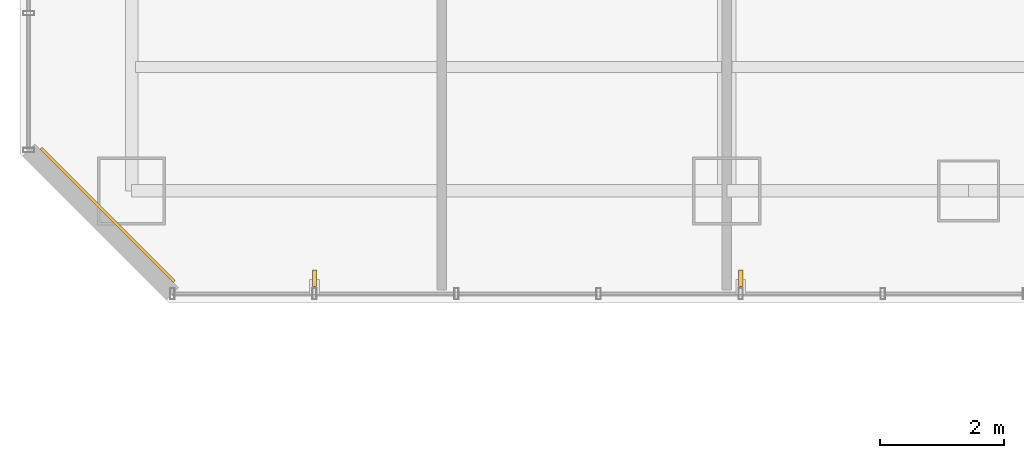
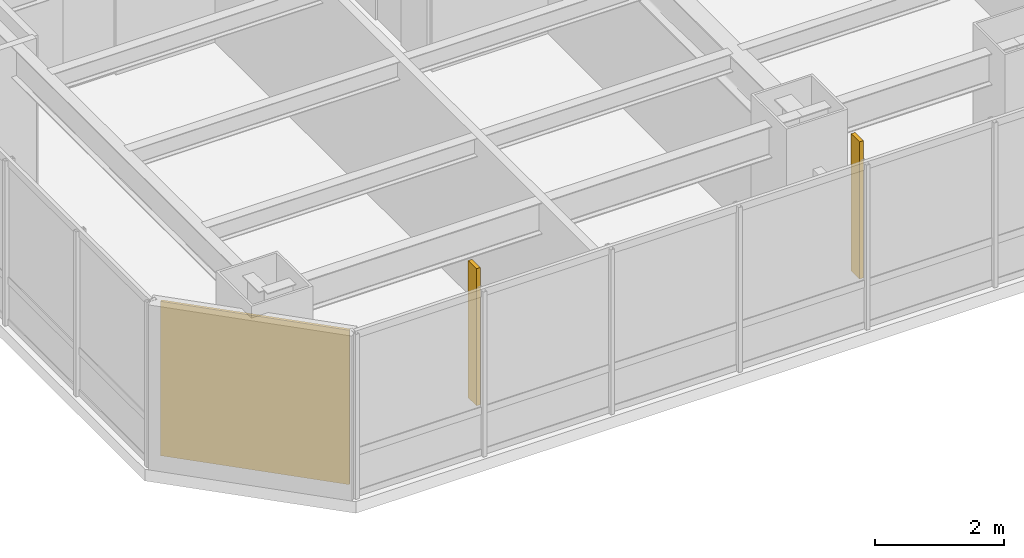
# One storey, part 28 of 32: 2 shading devices, 1 covering.
"""IFC4 building model written with IfcOpenShell, lengths in metres."""

import ifcopenshell
import ifcopenshell.guid

model = None  # the IFC model being written
_history = None  # IfcOwnerHistory: only IFC2X3 demands one
_inside = {}  # id of a spatial element -> (the spatial element, [elements in it])
_under = {}  # id of a project, library or spatial element -> (it, [spatial elements below it])
_declared = {}  # id of a project -> (the project, [libraries it declares])
_typed = {}  # id of a type object -> (the type object, [elements of that type])
_made_of = {}  # id of a material, layer set ... -> (it, [elements and type objects made of it])


def new_model(schema):
    """Start an empty IFC model of exactly this schema.

    Asked for "IFC4X3", IfcOpenShell would pick the latest addendum, in which some entities
    have other attributes; the version numbers below select the first issue.
    IFC2X3 requires an IfcOwnerHistory on every rooted entity: one is made here for all.
    """
    global model, _history
    if schema == "IFC4X3":
        model = ifcopenshell.file(schema_version=(4, 3, 0, 0))
    else:
        model = ifcopenshell.file(schema=schema)
    _inside.clear()
    _under.clear()
    _declared.clear()
    _typed.clear()
    _made_of.clear()
    _history = None
    if model.schema == "IFC2X3":
        org = make("IfcOrganization", Name="unknown")
        user = make(
            "IfcPersonAndOrganization",
            ThePerson=make("IfcPerson", FamilyName="unknown"),
            TheOrganization=org,
        )
        app = make(
            "IfcApplication",
            ApplicationDeveloper=org,
            Version="unknown",
            ApplicationFullName="unknown",
            ApplicationIdentifier="unknown",
        )
        _history = make(
            "IfcOwnerHistory",
            OwningUser=user,
            OwningApplication=app,
            ChangeAction="ADDED",
            CreationDate=0,
        )
    return model


def make(cls, **values):
    """One entity of the class cls with the attributes given. An attribute that is None is left unset."""
    return model.create_entity(
        cls, **{name: value for name, value in values.items() if value is not None}
    )


def rooted(cls, **values):
    """An entity with a GlobalId (a new one), such as an element, a storey or a relation."""
    return make(cls, GlobalId=ifcopenshell.guid.new(), OwnerHistory=_history, **values)


def si_unit(unit_type, name, prefix=None):
    """IfcSIUnit, for example si_unit("LENGTHUNIT", "METRE", prefix="MILLI")."""
    return make("IfcSIUnit", UnitType=unit_type, Prefix=prefix, Name=name)


def assignment(units):
    """IfcUnitAssignment: the units of a project."""
    return None if units is None else make("IfcUnitAssignment", Units=units)


def point(xyz):
    """IfcCartesianPoint."""
    return None if xyz is None else make("IfcCartesianPoint", Coordinates=xyz)


def direction(xyz):
    """IfcDirection."""
    return None if xyz is None else make("IfcDirection", DirectionRatios=xyz)


def frame(location, z_axis=None, x_axis=None):
    """IfcAxis2Placement3D, a coordinate frame: its origin and axes. An axis left out is left unset."""
    return make(
        "IfcAxis2Placement3D",
        Location=point(location),
        Axis=direction(z_axis),
        RefDirection=direction(x_axis),
    )


def frame_2d(location, x_axis=None):
    """IfcAxis2Placement2D, a coordinate frame in the plane: its origin and x axis."""
    return make(
        "IfcAxis2Placement2D", Location=point(location), RefDirection=direction(x_axis)
    )


def origin():
    """The frame at (0, 0, 0) with its axes left unset."""
    return frame((0.0, 0.0, 0.0))


def origin_2d():
    """The frame at (0, 0) in the plane with its x axis left unset."""
    return frame_2d((0.0, 0.0))


def place(relative_to, where):
    """IfcLocalPlacement: puts the frame where relative to a parent placement (None: the world)."""
    return make(
        "IfcLocalPlacement", PlacementRelTo=relative_to, RelativePlacement=where
    )


def context(
    kind, dimensions, precision=None, world=None, true_north=None, identifier=None
):
    """IfcGeometricRepresentationContext, for example the 3D "Model" context."""
    return make(
        "IfcGeometricRepresentationContext",
        ContextIdentifier=identifier,
        ContextType=kind,
        CoordinateSpaceDimension=dimensions,
        Precision=precision,
        WorldCoordinateSystem=world,
        TrueNorth=true_north,
    )


def subcontext(parent, identifier, kind, view, scale=None):
    """IfcGeometricRepresentationSubContext, for example "Body" below "Model"."""
    return make(
        "IfcGeometricRepresentationSubContext",
        ContextIdentifier=identifier,
        ContextType=kind,
        ParentContext=parent,
        TargetScale=scale,
        TargetView=view,
    )


def project(units=None, contexts=None):
    """IfcProject with its units and contexts."""
    return rooted(
        "IfcProject",
        Name="project",
        RepresentationContexts=contexts,
        UnitsInContext=assignment(units),
    )


def spatial(cls, under=None, at=None, **own):
    """A site, building, storey or space (cls), placed at a placement, below another one or the project."""
    s = rooted(cls, ObjectPlacement=at, **own)
    if under is not None:
        _under.setdefault(under.id(), (under, []))[1].append(s)
    return s


def profile(cls, at=None, kind="AREA", **sizes):
    """A parametric profile (cls). Its sizes go by their IFC names, for example OverallWidth=200.0."""
    return make(cls, ProfileType=kind, Position=at, **sizes)


def rectangle(**sizes):
    """IfcRectangleProfileDef."""
    return profile("IfcRectangleProfileDef", **sizes)


def extrude(swept, where, along, depth):
    """IfcExtrudedAreaSolid: the profile swept, set in the frame where, extruded along a direction by depth."""
    return make(
        "IfcExtrudedAreaSolid",
        SweptArea=swept,
        Position=where,
        ExtrudedDirection=direction(along),
        Depth=depth,
    )


def shape(context_of_items, identifier, shape_type, items):
    """IfcShapeRepresentation: the items that make up one representation, for example the "Body"."""
    return make(
        "IfcShapeRepresentation",
        ContextOfItems=context_of_items,
        RepresentationIdentifier=identifier,
        RepresentationType=shape_type,
        Items=items,
    )


def material(Name=None, Category=None):
    """IfcMaterial."""
    return make("IfcMaterial", Name=Name, Category=Category)


def layer(
    of_material, thickness, ventilated=None, Name=None, Category=None, Priority=None
):
    """IfcMaterialLayer: one layer of a wall or slab, of a material (None: an air gap)."""
    return make(
        "IfcMaterialLayer",
        Material=of_material,
        LayerThickness=thickness,
        IsVentilated=ventilated,
        Name=Name,
        Category=Category,
        Priority=Priority,
    )


def layer_set(layers, Name=None):
    """IfcMaterialLayerSet."""
    return make("IfcMaterialLayerSet", MaterialLayers=layers, LayerSetName=Name)


def made_of(thing, what):
    """Note that an element or type object is made of a material, layer set ...; save() writes the relation."""
    if what is not None:
        _made_of.setdefault(what.id(), (what, []))[1].append(thing)
    return thing


def type_object(cls, material=None, **own):
    """A type object (cls), such as IfcWallType, which elements share."""
    return made_of(rooted(cls, **own), material)


def element(
    cls,
    number,
    at=None,
    inside=None,
    cuts=None,
    type_object=None,
    material=None,
    context=None,
    identifier="Body",
    shape_type=None,
    held_by="IfcProductDefinitionShape",
    body=None,
    shapes=None,
    **own,
):
    """One element of the class cls, such as IfcWall. Its Tag is "e" and its number.

    at: its placement. inside: the storey or other place that contains it. cuts: it is an
    opening in that element (IfcRelVoidsElement). A single representation is given by context,
    identifier, shape_type and body (its items); several are given by shapes. held_by: the class
    of the entity that holds the representations. save() writes the other relations.
    """
    e = rooted(cls, Tag="e%d" % number, ObjectPlacement=at, **own)
    if body is not None:
        shapes = [shape(context, identifier, shape_type, body)]
    if shapes is not None:
        e.Representation = make(held_by, Representations=shapes)
    if inside is not None:
        _inside.setdefault(inside.id(), (inside, []))[1].append(e)
    if cuts is not None:
        rooted(
            "IfcRelVoidsElement", RelatingBuildingElement=cuts, RelatedOpeningElement=e
        )
    if type_object is not None:
        _typed.setdefault(type_object.id(), (type_object, []))[1].append(e)
    return made_of(e, material)


def aggregate(whole, parts):
    """IfcRelAggregates: a whole, such as a stair, and the parts it consists of."""
    return rooted("IfcRelAggregates", RelatingObject=whole, RelatedObjects=parts)


def save(model, path):
    """Write the relations noted so far, then the file.

    IfcRelAggregates (storeys below a building ...), IfcRelContainedInSpatialStructure (elements
    in a storey), IfcRelDefinesByType, IfcRelAssociatesMaterial and IfcRelDeclares: one each for
    every whole, place, type object, material and project.
    """
    for whole, parts in _under.values():
        aggregate(whole, parts)
    for where, things in _inside.values():
        rooted(
            "IfcRelContainedInSpatialStructure",
            RelatedElements=things,
            RelatingStructure=where,
        )
    for kind, things in _typed.values():
        rooted("IfcRelDefinesByType", RelatedObjects=things, RelatingType=kind)
    for what, things in _made_of.values():
        rooted("IfcRelAssociatesMaterial", RelatedObjects=things, RelatingMaterial=what)
    for by, libraries in _declared.values():
        rooted("IfcRelDeclares", RelatingContext=by, RelatedDefinitions=libraries)
    model.write(path)


model = new_model("IFC4")

# Units and contexts
model_context = context("Model", 3, precision=1e-05, world=origin(), true_north=direction((0.0, 1.0)))
body_context = subcontext(model_context, "Body", "Model", "MODEL_VIEW")
ifc_project = project(units=[si_unit("LENGTHUNIT", "METRE"), si_unit("AREAUNIT", "SQUARE_METRE"), si_unit("VOLUMEUNIT", "CUBIC_METRE"), si_unit("PLANEANGLEUNIT", "RADIAN"), si_unit("MASSUNIT", "GRAM", prefix="KILO")], contexts=[model_context])

# Site, building, storey
site_placement = place(None, origin())
site = spatial("IfcSite", under=ifc_project, at=site_placement, CompositionType="ELEMENT")
building_placement = place(site_placement, origin())
building = spatial("IfcBuilding", under=site, at=building_placement, Name="Hatsunagi Terrace Concourse", CompositionType="ELEMENT")
storey_placement = place(building_placement, frame((0.0, 0.0, 36.60009765625)))
storey = spatial("IfcBuildingStorey", under=building, at=storey_placement, Name="L08", CompositionType="ELEMENT", Elevation=36.60009765625)

# Shading devices
ifc_material_1 = material(Name="Extruded Unglazed Terracotta Baguette", Category="masonry")
shading_device_type = type_object("IfcShadingDeviceType", Name="TerracottaFinScreen_260x70", PredefinedType="USERDEFINED", material=ifc_material_1)
for number, where, z_axis, x_axis, name in (
    (1, (11.625, 23.7900390625, 0.849853515625), (0.0, 0.0, 1.0), (-1.0, 0.0, 0.0), "Terracotta Baguette Fin Screen SCR-01"),
    (2, (4.75, 23.7900390625, 0.849853515625), (0.0, 0.0, 1.0), (-1.0, 0.0, 0.0), "Terracotta Baguette Fin Screen SCR-01"),
):
    element("IfcShadingDevice", number, at=place(storey_placement, frame(where, z_axis=z_axis, x_axis=x_axis)), inside=storey, type_object=shading_device_type, Name=name, ObjectType="SUNSHADE", PredefinedType="USERDEFINED", context=body_context, shape_type="SweptSolid", body=[
        extrude(rectangle(XDim=0.070068359375, YDim=0.260009765625, at=origin_2d()), origin(), (0.0, 0.0, 1.0), 2.60009765625),
    ])

# Covering
ifc_material_2 = material(Name="Unglazed Warm Terracotta Rainscreen Tile", Category="masonry")
ifc_layer = layer(ifc_material_2, 0.044921875)
ifc_layer_set = layer_set([ifc_layer], Name="TerracottaRainscreenCladding_45")
covering_type = type_object("IfcCoveringType", Name="TerracottaRainscreenCladding_45", PredefinedType="CLADDING", material=ifc_layer_set)
covering_placement = place(storey_placement, frame((1.4140625, 24.81396484375, 0.10009765625), z_axis=(0.0, 0.0, 1.0), x_axis=(-0.707106781187, 0.707106781187, 0.0)))
element("IfcCovering", 3, at=covering_placement, inside=storey, type_object=covering_type, Name="Terracotta Rainscreen Cladding L08-08", PredefinedType="CLADDING", context=body_context, shape_type="SweptSolid", body=[
    extrude(rectangle(XDim=3.0380859375, YDim=0.044921875, at=origin_2d()), origin(), (0.0, 0.0, 1.0), 2.929931640625),
])

save(model, "model.ifc")
